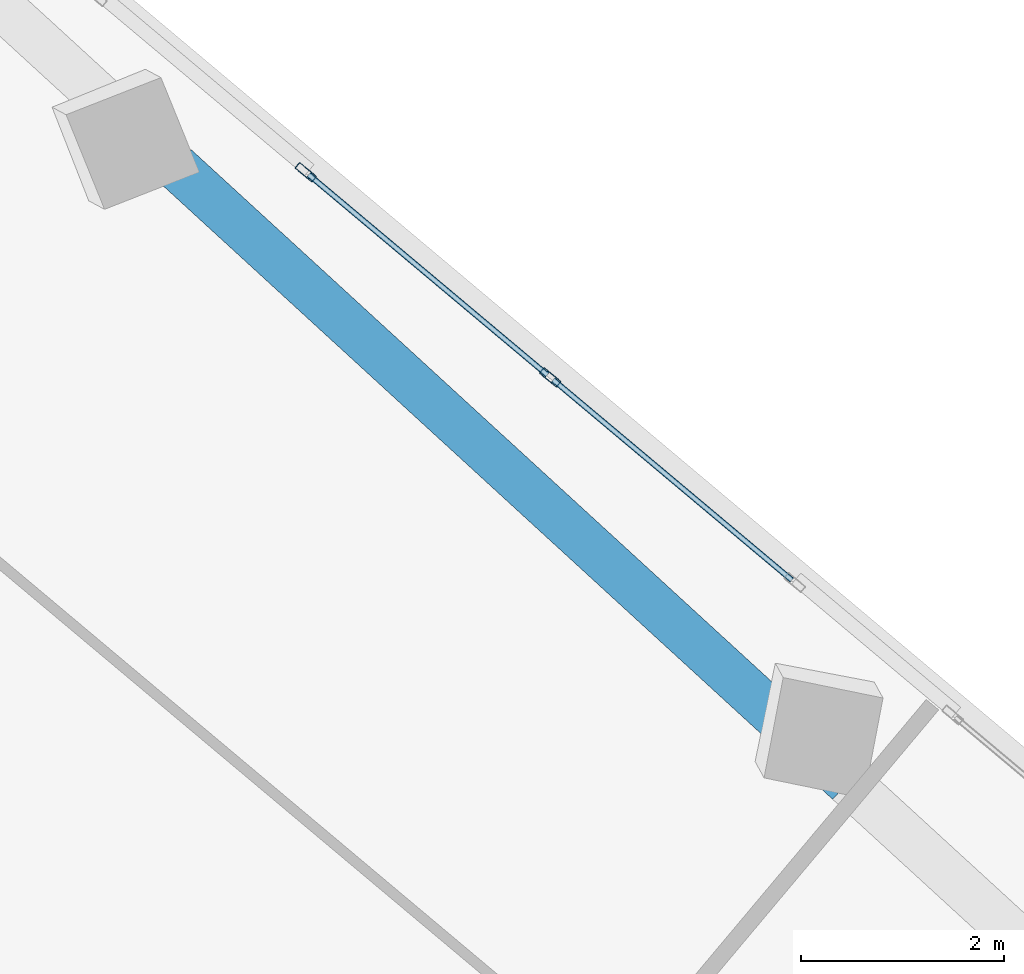
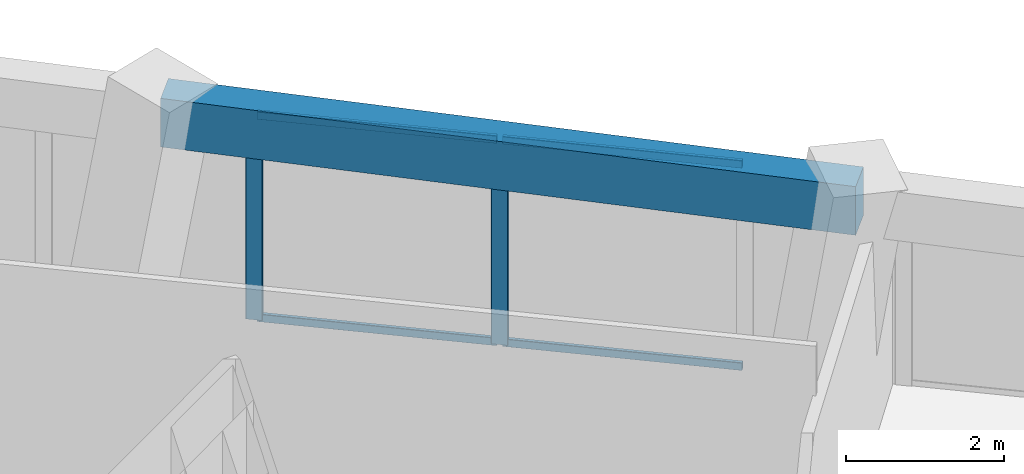
# One storey, part 12 of 18: 6 members, 1 beam, 1 element without a shape of its own.
"""IFC4 building model written with IfcOpenShell, lengths in metres."""

from ifc_helpers import new_model, si_unit, direction, frame, origin, origin_2d, place, context, subcontext, project, spatial, rectangle, hollow_rectangle, extrude, source, transform, mapped, material, material_profile, profile_set, type_object, element, aggregate, save


model = new_model("IFC4")

# Units and contexts
model_context = context("Model", 3, precision=1e-05, world=origin(), true_north=direction((0.0, 1.0)))
body_context = subcontext(model_context, "Body", "Model", "MODEL_VIEW")
ifc_project = project(units=[si_unit("LENGTHUNIT", "METRE"), si_unit("AREAUNIT", "SQUARE_METRE"), si_unit("VOLUMEUNIT", "CUBIC_METRE"), si_unit("PLANEANGLEUNIT", "RADIAN"), si_unit("MASSUNIT", "GRAM", prefix="KILO")], contexts=[model_context])

# Site, building, storey
site_placement = place(None, origin())
site = spatial("IfcSite", under=ifc_project, at=site_placement, CompositionType="ELEMENT")
building_placement = place(site_placement, origin())
building = spatial("IfcBuilding", under=site, at=building_placement, Name="Torre Montelarca", CompositionType="ELEMENT")
storey_placement = place(building_placement, frame((0.0, 0.0, 224.800048828125)))
storey = spatial("IfcBuildingStorey", under=building, at=storey_placement, Name="L50", CompositionType="ELEMENT", Elevation=224.800048828125)

# Beam
ifc_material_1 = material(Name="Concrete C55/67", Category="concrete")
ifc_material_profile_1 = material_profile(ifc_material_1, rectangle(XDim=0.449951171875, YDim=0.75, at=origin_2d()), Name="RCB450X750", Category="concrete")
ifc_profile_set_1 = profile_set([ifc_material_profile_1], Name="Concrete C55/67")
beam_type = type_object("IfcBeamType", Name="BM-SP-RC750-EXT", PredefinedType="SPANDREL", material=ifc_profile_set_1)
shared_shape_1 = source(origin(), body_context, "Body", "SweptSolid", [
    extrude(rectangle(XDim=0.449951171875, YDim=0.75, at=origin_2d()), origin(), (0.0, 0.0, 1.0), 8.999755859375),
])
beam_placement = place(storey_placement, frame((29.15478515625, 45.5341796875, 3.5849609375), z_axis=(0.737290375454, -0.675575978157, 0.0), x_axis=(0.675575978157, 0.737290375454, 0.0)))
element("IfcBeam", 1, at=beam_placement, inside=storey, type_object=beam_type, Name="L50 Grid Girder X 18.0-27.0 at Y=47.1", PredefinedType="SPANDREL", context=body_context, shape_type="MappedRepresentation", body=[
    mapped(shared_shape_1, transform((0.0, 0.0, 0.0), scale=1.0)),
])

# Curtain wall, members
ifc_material_2 = material(Name="Insulated low-E laminated glass", Category="glass")
curtain_wall_type = type_object("IfcCurtainWallType", Name="CW-SYS-Z3", PredefinedType="USERDEFINED", material=ifc_material_2)
curtain_wall_placement = place(storey_placement, origin())
curtain_wall = element("IfcCurtainWall", 2, at=curtain_wall_placement, inside=storey, type_object=curtain_wall_type, Name="L50 Curtain Wall Run CW-T3-L50-E08-B2", ObjectType="UNITISED GLAZING", PredefinedType="USERDEFINED")
ifc_material_3 = material(Name="Anodised aluminium AA 6063-T6", Category="aluminium")
ifc_material_profile_2 = material_profile(ifc_material_3, hollow_rectangle(XDim=0.074951171875, YDim=0.219970703125, WallThickness=0.0048828125, InnerFilletRadius=0.0048828125, OuterFilletRadius=0.010009765625, at=origin_2d()), Name="ALU75X220X5", Category="aluminium")
ifc_profile_set_2 = profile_set([ifc_material_profile_2], Name="Anodised aluminium AA 6063-T6")
member_type_1 = type_object("IfcMemberType", Name="CWM-ALU220", PredefinedType="MULLION", material=ifc_profile_set_2)
shared_shape_2 = source(origin(), body_context, "Body", "SweptSolid", [
    extrude(hollow_rectangle(XDim=0.074951171875, YDim=0.219970703125, WallThickness=0.0048828125, InnerFilletRadius=0.0048828125, OuterFilletRadius=0.010009765625, at=origin_2d()), origin(), (0.0, 0.0, 1.0), 3.175048828125),
])
member_1_placement = place(storey_placement, frame((32.85009765625, 43.4541015625, 0.0), z_axis=(0.0, 0.0, 1.0), x_axis=(-0.642784810005, -0.766046792322, 0.0)))
member_1 = element("IfcMember", 3, at=member_1_placement, type_object=member_type_1, Name="CW mullion 2", PredefinedType="MULLION", context=body_context, shape_type="MappedRepresentation", body=[
    mapped(shared_shape_2, transform((0.0, 0.0, 0.0), scale=1.0)),
])
member_2_placement = place(storey_placement, frame((30.4365234375, 45.47900390625, 0.0), z_axis=(0.0, 0.0, 1.0), x_axis=(-0.642784810005, -0.766046792322, 0.0)))
member_2 = element("IfcMember", 4, at=member_2_placement, type_object=member_type_1, Name="CW mullion 3", PredefinedType="MULLION", context=body_context, shape_type="MappedRepresentation", body=[
    mapped(shared_shape_2, transform((0.0, 0.0, 0.0), scale=1.0)),
])
ifc_material_profile_3 = material_profile(ifc_material_3, hollow_rectangle(XDim=0.054931640625, YDim=0.1201171875, WallThickness=0.00341796875, InnerFilletRadius=0.00341796875, OuterFilletRadius=0.007080078125, at=origin_2d()), Name="ALU55X120X3.5", Category="aluminium")
ifc_profile_set_3 = profile_set([ifc_material_profile_3], Name="Anodised aluminium AA 6063-T6")
member_type_2 = type_object("IfcMemberType", Name="CWT-ALU120", PredefinedType="USERDEFINED", material=ifc_profile_set_3)
shared_shape_3 = source(origin(), body_context, "Body", "SweptSolid", [
    extrude(hollow_rectangle(XDim=0.054931640625, YDim=0.1201171875, WallThickness=0.00341796875, InnerFilletRadius=0.00341796875, OuterFilletRadius=0.007080078125, at=origin_2d()), origin(), (0.0, 0.0, 1.0), 3.075439453125),
])
member_3_placement = place(storey_placement, frame((35.234619140625, 41.453125, 0.02734375), z_axis=(-0.766056616906, 0.642773101253, 0.0), x_axis=(-0.642773101253, -0.766056616906, 0.0)))
member_3 = element("IfcMember", 5, at=member_3_placement, type_object=member_type_2, Name="CW transom 1.1", ObjectType="TRANSOM", PredefinedType="USERDEFINED", context=body_context, shape_type="MappedRepresentation", body=[
    mapped(shared_shape_3, transform((0.0, 0.0, 0.0), scale=1.0)),
])
member_4_placement = place(storey_placement, frame((35.234619140625, 41.453125, 3.1474609375), z_axis=(-0.766056616906, 0.642773101253, 0.0), x_axis=(-0.642773101253, -0.766056616906, 0.0)))
member_4 = element("IfcMember", 6, at=member_4_placement, type_object=member_type_2, Name="CW transom 1.2", ObjectType="TRANSOM", PredefinedType="USERDEFINED", context=body_context, shape_type="MappedRepresentation", body=[
    mapped(shared_shape_3, transform((0.0, 0.0, 0.0), scale=1.0)),
])
member_5_placement = place(storey_placement, frame((32.8212890625, 43.478271484375, 0.02734375), z_axis=(-0.766056616906, 0.642773101253, 0.0), x_axis=(-0.642773101253, -0.766056616906, 0.0)))
member_5 = element("IfcMember", 7, at=member_5_placement, type_object=member_type_2, Name="CW transom 2.1", ObjectType="TRANSOM", PredefinedType="USERDEFINED", context=body_context, shape_type="MappedRepresentation", body=[
    mapped(shared_shape_3, transform((0.0, 0.0, 0.0), scale=1.0)),
])
member_6_placement = place(storey_placement, frame((32.8212890625, 43.478271484375, 3.1474609375), z_axis=(-0.766056616906, 0.642773101253, 0.0), x_axis=(-0.642773101253, -0.766056616906, 0.0)))
member_6 = element("IfcMember", 8, at=member_6_placement, type_object=member_type_2, Name="CW transom 2.2", ObjectType="TRANSOM", PredefinedType="USERDEFINED", context=body_context, shape_type="MappedRepresentation", body=[
    mapped(shared_shape_3, transform((0.0, 0.0, 0.0), scale=1.0)),
])
aggregate(curtain_wall, [member_1, member_2, member_3, member_4, member_5, member_6])

save(model, "model.ifc")
